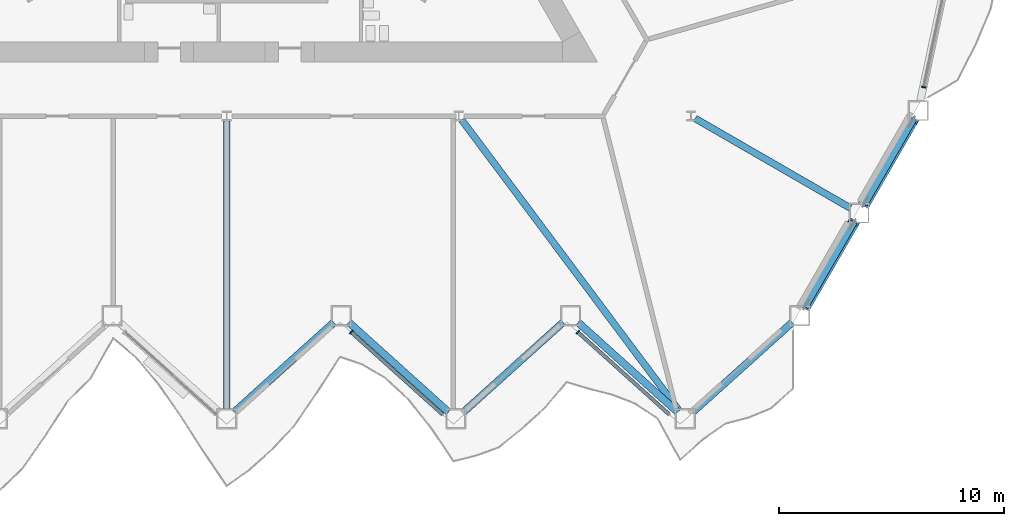
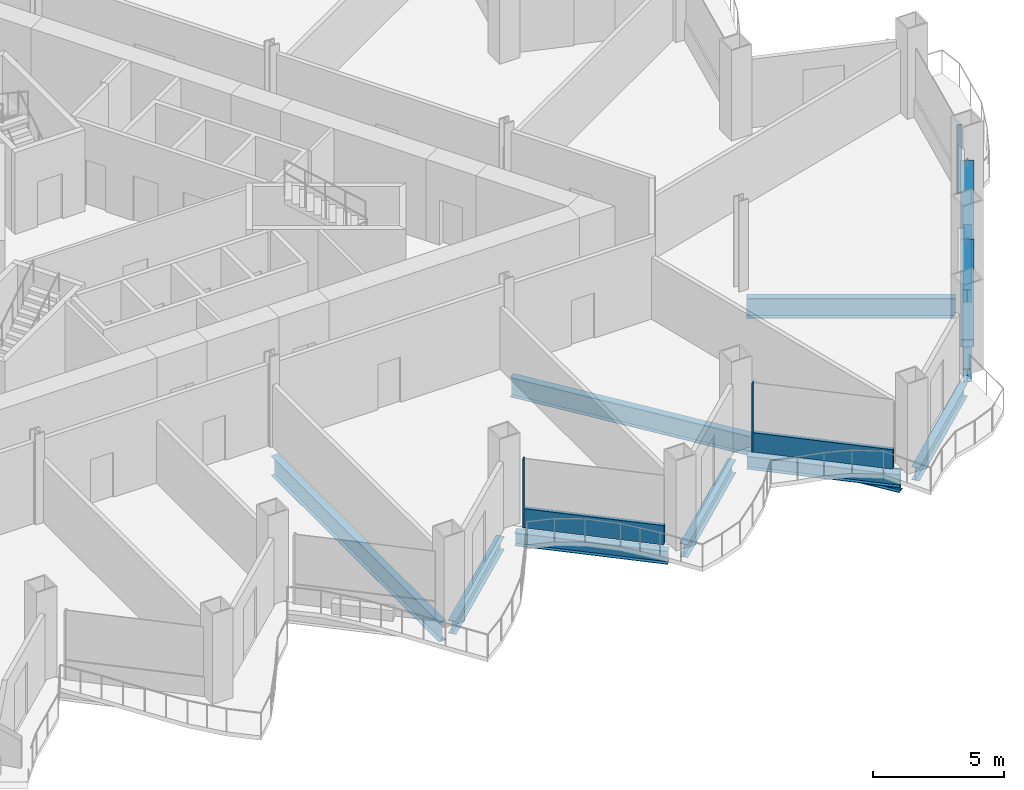
# One storey, part 5 of 21: 10 beams, 7 members, 3 elements without a shape of their own.
"""IFC4 building model written with IfcOpenShell, lengths in metres."""

import ifcopenshell
import ifcopenshell.guid

model = None  # the IFC model being written
_history = None  # IfcOwnerHistory: only IFC2X3 demands one
_inside = {}  # id of a spatial element -> (the spatial element, [elements in it])
_under = {}  # id of a project, library or spatial element -> (it, [spatial elements below it])
_declared = {}  # id of a project -> (the project, [libraries it declares])
_typed = {}  # id of a type object -> (the type object, [elements of that type])
_made_of = {}  # id of a material, layer set ... -> (it, [elements and type objects made of it])


def new_model(schema):
    """Start an empty IFC model of exactly this schema.

    Asked for "IFC4X3", IfcOpenShell would pick the latest addendum, in which some entities
    have other attributes; the version numbers below select the first issue.
    IFC2X3 requires an IfcOwnerHistory on every rooted entity: one is made here for all.
    """
    global model, _history
    if schema == "IFC4X3":
        model = ifcopenshell.file(schema_version=(4, 3, 0, 0))
    else:
        model = ifcopenshell.file(schema=schema)
    _inside.clear()
    _under.clear()
    _declared.clear()
    _typed.clear()
    _made_of.clear()
    _history = None
    if model.schema == "IFC2X3":
        org = make("IfcOrganization", Name="unknown")
        user = make(
            "IfcPersonAndOrganization",
            ThePerson=make("IfcPerson", FamilyName="unknown"),
            TheOrganization=org,
        )
        app = make(
            "IfcApplication",
            ApplicationDeveloper=org,
            Version="unknown",
            ApplicationFullName="unknown",
            ApplicationIdentifier="unknown",
        )
        _history = make(
            "IfcOwnerHistory",
            OwningUser=user,
            OwningApplication=app,
            ChangeAction="ADDED",
            CreationDate=0,
        )
    return model


def make(cls, **values):
    """One entity of the class cls with the attributes given. An attribute that is None is left unset."""
    return model.create_entity(
        cls, **{name: value for name, value in values.items() if value is not None}
    )


def rooted(cls, **values):
    """An entity with a GlobalId (a new one), such as an element, a storey or a relation."""
    return make(cls, GlobalId=ifcopenshell.guid.new(), OwnerHistory=_history, **values)


def si_unit(unit_type, name, prefix=None):
    """IfcSIUnit, for example si_unit("LENGTHUNIT", "METRE", prefix="MILLI")."""
    return make("IfcSIUnit", UnitType=unit_type, Prefix=prefix, Name=name)


def assignment(units):
    """IfcUnitAssignment: the units of a project."""
    return None if units is None else make("IfcUnitAssignment", Units=units)


def point(xyz):
    """IfcCartesianPoint."""
    return None if xyz is None else make("IfcCartesianPoint", Coordinates=xyz)


def direction(xyz):
    """IfcDirection."""
    return None if xyz is None else make("IfcDirection", DirectionRatios=xyz)


def frame(location, z_axis=None, x_axis=None):
    """IfcAxis2Placement3D, a coordinate frame: its origin and axes. An axis left out is left unset."""
    return make(
        "IfcAxis2Placement3D",
        Location=point(location),
        Axis=direction(z_axis),
        RefDirection=direction(x_axis),
    )


def frame_2d(location, x_axis=None):
    """IfcAxis2Placement2D, a coordinate frame in the plane: its origin and x axis."""
    return make(
        "IfcAxis2Placement2D", Location=point(location), RefDirection=direction(x_axis)
    )


def origin():
    """The frame at (0, 0, 0) with its axes left unset."""
    return frame((0.0, 0.0, 0.0))


def origin_2d():
    """The frame at (0, 0) in the plane with its x axis left unset."""
    return frame_2d((0.0, 0.0))


def place(relative_to, where):
    """IfcLocalPlacement: puts the frame where relative to a parent placement (None: the world)."""
    return make(
        "IfcLocalPlacement", PlacementRelTo=relative_to, RelativePlacement=where
    )


def context(
    kind, dimensions, precision=None, world=None, true_north=None, identifier=None
):
    """IfcGeometricRepresentationContext, for example the 3D "Model" context."""
    return make(
        "IfcGeometricRepresentationContext",
        ContextIdentifier=identifier,
        ContextType=kind,
        CoordinateSpaceDimension=dimensions,
        Precision=precision,
        WorldCoordinateSystem=world,
        TrueNorth=true_north,
    )


def subcontext(parent, identifier, kind, view, scale=None):
    """IfcGeometricRepresentationSubContext, for example "Body" below "Model"."""
    return make(
        "IfcGeometricRepresentationSubContext",
        ContextIdentifier=identifier,
        ContextType=kind,
        ParentContext=parent,
        TargetScale=scale,
        TargetView=view,
    )


def project(units=None, contexts=None):
    """IfcProject with its units and contexts."""
    return rooted(
        "IfcProject",
        Name="project",
        RepresentationContexts=contexts,
        UnitsInContext=assignment(units),
    )


def spatial(cls, under=None, at=None, **own):
    """A site, building, storey or space (cls), placed at a placement, below another one or the project."""
    s = rooted(cls, ObjectPlacement=at, **own)
    if under is not None:
        _under.setdefault(under.id(), (under, []))[1].append(s)
    return s


def profile(cls, at=None, kind="AREA", **sizes):
    """A parametric profile (cls). Its sizes go by their IFC names, for example OverallWidth=200.0."""
    return make(cls, ProfileType=kind, Position=at, **sizes)


def rectangle(**sizes):
    """IfcRectangleProfileDef."""
    return profile("IfcRectangleProfileDef", **sizes)


def hollow_rectangle(**sizes):
    """IfcRectangleHollowProfileDef."""
    return profile("IfcRectangleHollowProfileDef", **sizes)


def i_section(**sizes):
    """IfcIShapeProfileDef."""
    return profile("IfcIShapeProfileDef", **sizes)


def extrude(swept, where, along, depth):
    """IfcExtrudedAreaSolid: the profile swept, set in the frame where, extruded along a direction by depth."""
    return make(
        "IfcExtrudedAreaSolid",
        SweptArea=swept,
        Position=where,
        ExtrudedDirection=direction(along),
        Depth=depth,
    )


def shape(context_of_items, identifier, shape_type, items):
    """IfcShapeRepresentation: the items that make up one representation, for example the "Body"."""
    return make(
        "IfcShapeRepresentation",
        ContextOfItems=context_of_items,
        RepresentationIdentifier=identifier,
        RepresentationType=shape_type,
        Items=items,
    )


def material(Name=None, Category=None):
    """IfcMaterial."""
    return make("IfcMaterial", Name=Name, Category=Category)


def layer(
    of_material, thickness, ventilated=None, Name=None, Category=None, Priority=None
):
    """IfcMaterialLayer: one layer of a wall or slab, of a material (None: an air gap)."""
    return make(
        "IfcMaterialLayer",
        Material=of_material,
        LayerThickness=thickness,
        IsVentilated=ventilated,
        Name=Name,
        Category=Category,
        Priority=Priority,
    )


def layer_set(layers, Name=None):
    """IfcMaterialLayerSet."""
    return make("IfcMaterialLayerSet", MaterialLayers=layers, LayerSetName=Name)


def material_profile(
    of_material, cross_section, Name=None, Category=None, Priority=None
):
    """IfcMaterialProfile: a cross section and its material."""
    return make(
        "IfcMaterialProfile",
        Name=Name,
        Material=of_material,
        Profile=cross_section,
        Priority=Priority,
        Category=Category,
    )


def profile_set(profiles, Name=None, composite=None):
    """IfcMaterialProfileSet."""
    return make(
        "IfcMaterialProfileSet",
        Name=Name,
        MaterialProfiles=profiles,
        CompositeProfile=composite,
    )


def made_of(thing, what):
    """Note that an element or type object is made of a material, layer set ...; save() writes the relation."""
    if what is not None:
        _made_of.setdefault(what.id(), (what, []))[1].append(thing)
    return thing


def type_object(cls, material=None, **own):
    """A type object (cls), such as IfcWallType, which elements share."""
    return made_of(rooted(cls, **own), material)


def element(
    cls,
    number,
    at=None,
    inside=None,
    cuts=None,
    type_object=None,
    material=None,
    context=None,
    identifier="Body",
    shape_type=None,
    held_by="IfcProductDefinitionShape",
    body=None,
    shapes=None,
    **own,
):
    """One element of the class cls, such as IfcWall. Its Tag is "e" and its number.

    at: its placement. inside: the storey or other place that contains it. cuts: it is an
    opening in that element (IfcRelVoidsElement). A single representation is given by context,
    identifier, shape_type and body (its items); several are given by shapes. held_by: the class
    of the entity that holds the representations. save() writes the other relations.
    """
    e = rooted(cls, Tag="e%d" % number, ObjectPlacement=at, **own)
    if body is not None:
        shapes = [shape(context, identifier, shape_type, body)]
    if shapes is not None:
        e.Representation = make(held_by, Representations=shapes)
    if inside is not None:
        _inside.setdefault(inside.id(), (inside, []))[1].append(e)
    if cuts is not None:
        rooted(
            "IfcRelVoidsElement", RelatingBuildingElement=cuts, RelatedOpeningElement=e
        )
    if type_object is not None:
        _typed.setdefault(type_object.id(), (type_object, []))[1].append(e)
    return made_of(e, material)


def aggregate(whole, parts):
    """IfcRelAggregates: a whole, such as a stair, and the parts it consists of."""
    return rooted("IfcRelAggregates", RelatingObject=whole, RelatedObjects=parts)


def save(model, path):
    """Write the relations noted so far, then the file.

    IfcRelAggregates (storeys below a building ...), IfcRelContainedInSpatialStructure (elements
    in a storey), IfcRelDefinesByType, IfcRelAssociatesMaterial and IfcRelDeclares: one each for
    every whole, place, type object, material and project.
    """
    for whole, parts in _under.values():
        aggregate(whole, parts)
    for where, things in _inside.values():
        rooted(
            "IfcRelContainedInSpatialStructure",
            RelatedElements=things,
            RelatingStructure=where,
        )
    for kind, things in _typed.values():
        rooted("IfcRelDefinesByType", RelatedObjects=things, RelatingType=kind)
    for what, things in _made_of.values():
        rooted("IfcRelAssociatesMaterial", RelatedObjects=things, RelatingMaterial=what)
    for by, libraries in _declared.values():
        rooted("IfcRelDeclares", RelatingContext=by, RelatedDefinitions=libraries)
    model.write(path)


model = new_model("IFC4")

# Units and contexts
model_context = context("Model", 3, precision=1e-05, world=origin(), true_north=direction((0.0, 1.0)))
body_context = subcontext(model_context, "Body", "Model", "MODEL_VIEW")
ifc_project = project(units=[si_unit("LENGTHUNIT", "METRE"), si_unit("AREAUNIT", "SQUARE_METRE"), si_unit("VOLUMEUNIT", "CUBIC_METRE"), si_unit("PLANEANGLEUNIT", "RADIAN"), si_unit("MASSUNIT", "GRAM", prefix="KILO")], contexts=[model_context])

# Site, building, storey
site_placement = place(None, origin())
site = spatial("IfcSite", under=ifc_project, at=site_placement, CompositionType="ELEMENT")
building_placement = place(site_placement, origin())
building = spatial("IfcBuilding", under=site, at=building_placement, Name="Cormorant Prow Tower", CompositionType="ELEMENT")
storey_placement = place(building_placement, frame((0.0, 0.0, 129.0)))
storey = spatial("IfcBuildingStorey", under=building, at=storey_placement, Name="L27", CompositionType="ELEMENT", Elevation=129.0)

# Members
ifc_material_1 = material(Name="Structural steel ASTM A500 Gr C", Category="steel")
ifc_material_profile_1 = material_profile(ifc_material_1, hollow_rectangle(XDim=0.508056640625, YDim=0.508056640625, WallThickness=0.014892578125, at=origin_2d()), Name="HSS20x20x5/8")
ifc_profile_set_1 = profile_set([ifc_material_profile_1], Name="Structural steel ASTM A500 Gr C")
member_type_1 = type_object("IfcMemberType", Name="Chamfer brace HSS20x20x5/8", PredefinedType="BRACE", material=ifc_profile_set_1)
for number, where, z_axis, x_axis, name in (
    (1, (25.733642578125, -20.402099609375, 0.776611328125), (0.467784671838, 0.810243526908, 0.35310469821), (-0.866029868417, 0.499992266949, 0.0), "Chamfer brace BR1 at ESE00 L27"),
    (2, (28.368408203125, -15.83837890625, 0.776611328125), (0.467784671838, 0.810243526908, 0.35310469821), (-0.866029868417, 0.499992266949, 0.0), "Chamfer brace BR1 at ESE01 L27"),
):
    element("IfcMember", number, at=place(storey_placement, frame(where, z_axis=z_axis, x_axis=x_axis)), inside=storey, type_object=member_type_1, Name=name, PredefinedType="BRACE", context=body_context, shape_type="SweptSolid", body=[
        extrude(hollow_rectangle(XDim=0.508056640625, YDim=0.508056640625, WallThickness=0.014892578125, at=origin_2d()), origin(), (0.0, 0.0, 1.0), 4.632568359375),
    ])

# Curtain wall, member
ifc_material_2 = material(Name="Aluminium 6063-T6", Category="aluminium")
ifc_layer = layer(ifc_material_2, 0.199951171875)
ifc_layer_set = layer_set([ifc_layer], Name="Aluminium 6063-T6")
curtain_wall_type = type_object("IfcCurtainWallType", Name="Office unitised curtain wall 200", PredefinedType="NOTDEFINED", material=ifc_layer_set)
curtain_wall_1_placement = place(storey_placement, origin())
curtain_wall_1 = element("IfcCurtainWall", 3, at=curtain_wall_1_placement, inside=storey, type_object=curtain_wall_type, Name="Office curtain wall S06", PredefinedType="NOTDEFINED")
ifc_material_3 = material(Name="Aluminium 6063-T6", Category="aluminium")
ifc_material_profile_2 = material_profile(ifc_material_3, rectangle(XDim=0.199951171875, YDim=0.06005859375, at=origin_2d()), Name="Office mullion 60x200")
ifc_profile_set_2 = profile_set([ifc_material_profile_2], Name="Aluminium 6063-T6")
member_type_2 = type_object("IfcMemberType", Name="Office mullion 60x200", PredefinedType="MULLION", material=ifc_profile_set_2)
member_1_placement = place(storey_placement, frame((5.538330078125, -21.54150390625, 0.0), z_axis=(0.0, 0.0, 1.0), x_axis=(0.669130626463, 0.743144807376, 0.0)))
member_1 = element("IfcMember", 4, at=member_1_placement, type_object=member_type_2, Name="Office mullion S06", PredefinedType="MULLION", context=body_context, shape_type="SweptSolid", body=[
    extrude(rectangle(XDim=0.199951171875, YDim=0.06005859375, at=origin_2d()), origin(), (0.0, 0.0, 1.0), 3.18896484375),
])

curtain_wall_2_placement = place(storey_placement, origin())
curtain_wall_2 = element("IfcCurtainWall", 5, at=curtain_wall_2_placement, inside=storey, type_object=curtain_wall_type, Name="Office curtain wall S08", PredefinedType="NOTDEFINED")
member_2_placement = place(storey_placement, frame((15.625, -21.54150390625, 0.0), z_axis=(0.0, 0.0, 1.0), x_axis=(0.669130626463, 0.743144807376, 0.0)))
member_2 = element("IfcMember", 6, at=member_2_placement, type_object=member_type_2, Name="Office mullion S08", PredefinedType="MULLION", context=body_context, shape_type="SweptSolid", body=[
    extrude(rectangle(XDim=0.199951171875, YDim=0.06005859375, at=origin_2d()), origin(), (0.0, 0.0, 1.0), 3.18896484375),
])

curtain_wall_3_placement = place(storey_placement, origin())
curtain_wall_3 = element("IfcCurtainWall", 7, at=curtain_wall_3_placement, inside=storey, type_object=curtain_wall_type, Name="Office curtain wall ENE00", PredefinedType="NOTDEFINED")
member_3_placement = place(storey_placement, frame((31.0166015625, -10.63916015625, 0.0), z_axis=(0.0, 0.0, 1.0), x_axis=(-0.978147605839, 0.207911666798, 0.0)))
member_3 = element("IfcMember", 8, at=member_3_placement, type_object=member_type_2, Name="Office mullion ENE00", PredefinedType="MULLION", context=body_context, shape_type="SweptSolid", body=[
    extrude(rectangle(XDim=0.199951171875, YDim=0.06005859375, at=origin_2d()), origin(), (0.0, 0.0, 1.0), 3.18896484375),
])
aggregate(curtain_wall_3, [member_3])

# Member
ifc_material_4 = material(Name="Terracotta", Category="masonry")
ifc_material_profile_3 = material_profile(ifc_material_4, rectangle(XDim=0.159912109375, YDim=0.89990234375, at=origin_2d()), Name="Office terracotta spandrel rail 160x900")
ifc_profile_set_3 = profile_set([ifc_material_profile_3], Name="Terracotta")
member_type_3 = type_object("IfcMemberType", Name="Office terracotta spandrel rail 160x900", PredefinedType="USERDEFINED", material=ifc_profile_set_3)
member_4_placement = place(storey_placement, frame((5.560546875, -21.561767578125, 0.449951171875), z_axis=(0.743173953353, -0.66909825516, 0.0), x_axis=(0.66909825516, 0.743173953353, 0.0)))
member_4 = element("IfcMember", 9, at=member_4_placement, type_object=member_type_3, Name="Office spandrel rail S06", ObjectType="TRANSOM", PredefinedType="USERDEFINED", context=body_context, shape_type="SweptSolid", body=[
    extrude(rectangle(XDim=0.159912109375, YDim=0.89990234375, at=origin_2d()), origin(), (0.0, 0.0, 1.0), 5.45458984375),
])

aggregate(curtain_wall_1, [member_1, member_4])

member_5_placement = place(storey_placement, frame((15.6474609375, -21.561767578125, 0.449951171875), z_axis=(0.743153914206, -0.669120512165, 0.0), x_axis=(0.669120512165, 0.743153914206, 0.0)))
member_5 = element("IfcMember", 10, at=member_5_placement, type_object=member_type_3, Name="Office spandrel rail S08", ObjectType="TRANSOM", PredefinedType="USERDEFINED", context=body_context, shape_type="SweptSolid", body=[
    extrude(rectangle(XDim=0.159912109375, YDim=0.89990234375, at=origin_2d()), origin(), (0.0, 0.0, 1.0), 5.454345703125),
])

aggregate(curtain_wall_2, [member_2, member_5])

# Beams
ifc_material_5 = material(Name="Structural steel ASTM A992 Gr 50", Category="steel")
ifc_material_profile_4 = material_profile(ifc_material_5, i_section(OverallWidth=0.3046875, OverallDepth=0.914794921875, WebThickness=0.0166015625, FlangeThickness=0.02587890625, at=origin_2d()), Name="W36x160")
ifc_profile_set_4 = profile_set([ifc_material_profile_4], Name="Structural steel ASTM A992 Gr 50")
beam_type_1 = type_object("IfcBeamType", Name="Radial floor beam W36x160", PredefinedType="BEAM", material=ifc_profile_set_4)
beam_1_placement = place(storey_placement, frame((0.0, -12.143798828125, -0.857421875), z_axis=(0.0, -1.0, 0.0), x_axis=(1.0, 0.0, 0.0)))
element("IfcBeam", 11, at=beam_1_placement, inside=storey, type_object=beam_type_1, Name="Radial floor beam FB1 7 L27", PredefinedType="BEAM", context=body_context, shape_type="SweptSolid", body=[
    extrude(i_section(OverallWidth=0.3046875, OverallDepth=0.914794921875, WebThickness=0.0166015625, FlangeThickness=0.02587890625, at=origin_2d()), origin(), (0.0, 0.0, 1.0), 12.805419921875),
])
beam_2_placement = place(storey_placement, frame((10.458740234375, -12.100341796875, -0.857421875), z_axis=(0.598722444929, -0.800956574315, 0.0), x_axis=(0.800956574315, 0.598722444929, 0.0)))
element("IfcBeam", 12, at=beam_2_placement, inside=storey, type_object=beam_type_1, Name="Radial floor beam FB1 8 L27", PredefinedType="BEAM", context=body_context, shape_type="SweptSolid", body=[
    extrude(i_section(OverallWidth=0.3046875, OverallDepth=0.914794921875, WebThickness=0.0166015625, FlangeThickness=0.02587890625, at=origin_2d()), origin(), (0.0, 0.0, 1.0), 16.15380859375),
])
beam_3_placement = place(storey_placement, frame((20.84521484375, -12.034912109375, -0.857421875), z_axis=(0.866018715534, -0.50001158421, 0.0), x_axis=(0.50001158421, 0.866018715534, 0.0)))
element("IfcBeam", 13, at=beam_3_placement, inside=storey, type_object=beam_type_1, Name="Radial floor beam FB1 9 L27", PredefinedType="BEAM", context=body_context, shape_type="SweptSolid", body=[
    extrude(i_section(OverallWidth=0.3046875, OverallDepth=0.914794921875, WebThickness=0.0166015625, FlangeThickness=0.02587890625, at=origin_2d()), origin(), (0.0, 0.0, 1.0), 7.967041015625),
])
ifc_material_6 = material(Name="Structural steel ASTM A992 Gr 50", Category="steel")
ifc_material_profile_5 = material_profile(ifc_material_6, i_section(OverallWidth=0.32373046875, OverallDepth=0.611083984375, WebThickness=0.0126953125, FlangeThickness=0.01904296875, at=origin_2d()), Name="W24x104")
ifc_profile_set_5 = profile_set([ifc_material_profile_5], Name="Structural steel ASTM A992 Gr 50")
beam_type_2 = type_object("IfcBeamType", Name="Spandrel beam W24x104", PredefinedType="SPANDREL", material=ifc_profile_set_5)
for number, where, z_axis, x_axis, name in (
    (14, (0.33447265625, -25.09814453125, -0.70556640625), (0.743131253571, 0.66914567918, 0.0), (-0.66914567918, 0.743131253571, 0.0), "Spandrel beam SB1 S05-S06 L27"),
    (15, (5.434326171875, -21.108154296875, -0.70556640625), (0.743131253571, -0.66914567918, 0.0), (0.66914567918, 0.743131253571, 0.0), "Spandrel beam SB1 S06-S07 L27"),
    (16, (10.5341796875, -25.09814453125, -0.70556640625), (0.743131253571, 0.66914567918, 0.0), (-0.66914567918, 0.743131253571, 0.0), "Spandrel beam SB1 S07-S08 L27"),
    (17, (15.63427734375, -21.108154296875, -0.70556640625), (0.743131253571, -0.66914567918, 0.0), (0.66914567918, 0.743131253571, 0.0), "Spandrel beam SB1 S08-S09 L27"),
    (18, (20.734130859375, -25.09814453125, -0.70556640625), (0.743131253571, 0.66914567918, 0.0), (-0.66914567918, 0.743131253571, 0.0), "Spandrel beam SB1 S09-ESE00 L27"),
):
    element("IfcBeam", number, at=place(storey_placement, frame(where, z_axis=z_axis, x_axis=x_axis)), inside=storey, type_object=beam_type_2, Name=name, PredefinedType="SPANDREL", context=body_context, shape_type="SweptSolid", body=[
        extrude(i_section(OverallWidth=0.32373046875, OverallDepth=0.611083984375, WebThickness=0.0126953125, FlangeThickness=0.01904296875, at=origin_2d()), origin(), (0.0, 0.0, 1.0), 5.962890625),
    ])
for number, where, z_axis, x_axis, name in (
    (19, (25.724609375, -20.41748046875, -0.70556640625), (0.500002967982, 0.866023690213, 0.0), (-0.866023690213, 0.500002967982, 0.0), "Spandrel beam SB1 ESE00-ESE01 L27"),
    (20, (28.359619140625, -15.853759765625, -0.70556640625), (0.500002967982, 0.866023690213, 0.0), (-0.866023690213, 0.500002967982, 0.0), "Spandrel beam SB1 ESE01-ENE00 L27"),
):
    element("IfcBeam", number, at=place(storey_placement, frame(where, z_axis=z_axis, x_axis=x_axis)), inside=storey, type_object=beam_type_2, Name=name, PredefinedType="SPANDREL", context=body_context, shape_type="SweptSolid", body=[
        extrude(i_section(OverallWidth=0.32373046875, OverallDepth=0.611083984375, WebThickness=0.0126953125, FlangeThickness=0.01904296875, at=origin_2d()), origin(), (0.0, 0.0, 1.0), 4.36962890625),
    ])

save(model, "model.ifc")
